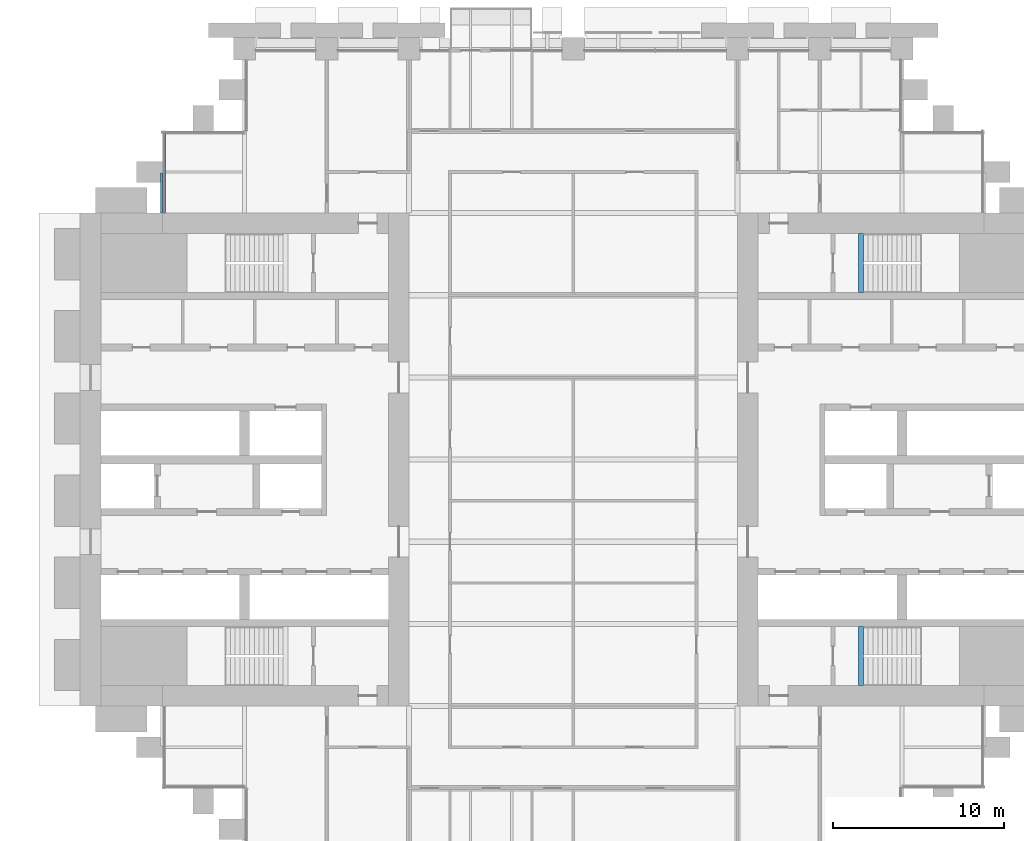
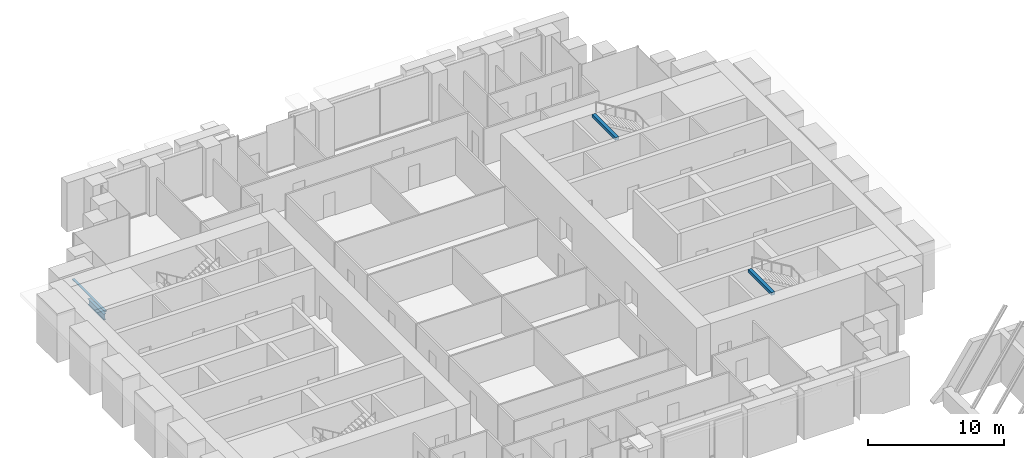
# One storey, part 14 of 32: 3 beams, 1 member, 1 element without a shape of its own.
"""IFC4 building model written with IfcOpenShell, lengths in metres."""

from ifc_helpers import new_model, si_unit, direction, frame, origin, origin_2d, place, context, subcontext, project, spatial, rectangle, i_section, extrude, material, material_profile, profile_set, type_object, element, aggregate, save


model = new_model("IFC4")

# Units and contexts
model_context = context("Model", 3, precision=1e-05, world=origin(), true_north=direction((0.0, 1.0)))
body_context = subcontext(model_context, "Body", "Model", "MODEL_VIEW")
ifc_project = project(units=[si_unit("LENGTHUNIT", "METRE"), si_unit("AREAUNIT", "SQUARE_METRE"), si_unit("VOLUMEUNIT", "CUBIC_METRE"), si_unit("PLANEANGLEUNIT", "RADIAN"), si_unit("MASSUNIT", "GRAM", prefix="KILO")], contexts=[model_context])

# Site, building, storey
site_placement = place(None, origin())
site = spatial("IfcSite", under=ifc_project, at=site_placement, CompositionType="ELEMENT")
building_placement = place(site_placement, origin())
building = spatial("IfcBuilding", under=site, at=building_placement, Name="Baori Bourse Tower", CompositionType="ELEMENT")
storey_placement = place(building_placement, frame((0.0, 0.0, 21.39990234375)))
storey = spatial("IfcBuildingStorey", under=building, at=storey_placement, Name="L03", CompositionType="ELEMENT", Elevation=21.39990234375)

# Curtain wall, member
ifc_material_1 = material(Name="Pale anodised aluminium", Category="aluminium")
curtain_wall_type = type_object("IfcCurtainWallType", Name="CW2 Curtain wall", PredefinedType="NOTDEFINED", material=ifc_material_1)
curtain_wall_placement = place(storey_placement, origin())
curtain_wall = element("IfcCurtainWall", 1, at=curtain_wall_placement, inside=storey, type_object=curtain_wall_type, Name="Curtain wall CW2 L03 9", PredefinedType="NOTDEFINED")
ifc_material_2 = material(Name="Pale anodised aluminium", Category="aluminium")
ifc_material_profile_1 = material_profile(ifc_material_2, rectangle(XDim=0.179931640625, YDim=0.070068359375, at=origin_2d()), Name="Transom 70x180")
ifc_profile_set_1 = profile_set([ifc_material_profile_1], Name="Pale anodised aluminium")
member_type = type_object("IfcMemberType", Name="CW2 Curtain wall transom", PredefinedType="USERDEFINED", material=ifc_profile_set_1)
member_placement = place(storey_placement, frame((4.889892578125, 43.199951171875, 0.03515625), z_axis=(0.0, -1.0, 0.0), x_axis=(1.0, 0.0, 0.0)))
member = element("IfcMember", 2, at=member_placement, type_object=member_type, Name="Curtain wall CW2 sill rail", ObjectType="TRANSOM", PredefinedType="USERDEFINED", context=body_context, shape_type="SweptSolid", body=[
    extrude(rectangle(XDim=0.179931640625, YDim=0.070068359375, at=origin_2d()), origin(), (0.0, 0.0, 1.0), 4.800048828125),
])
aggregate(curtain_wall, [member])

# Beams
ifc_material_3 = material(Name="Steel A992 Gr 50", Category="steel")
ifc_material_profile_2 = material_profile(ifc_material_3, i_section(OverallWidth=0.21240234375, OverallDepth=0.54345703125, WebThickness=0.01318359375, FlangeThickness=0.021240234375, at=origin_2d()), Name="W21x83")
ifc_profile_set_2 = profile_set([ifc_material_profile_2], Name="Steel A992 Gr 50")
beam_type_1 = type_object("IfcBeamType", Name="Core bracket W21x83", PredefinedType="BEAM", material=ifc_profile_set_2)
beam_placement = place(storey_placement, frame((4.800048828125, 38.39990234375, -0.431640625), z_axis=(0.0, 1.0, 0.0), x_axis=(-1.0, 0.0, 0.0)))
element("IfcBeam", 3, at=beam_placement, inside=storey, type_object=beam_type_1, Name="Core bracket L03", PredefinedType="BEAM", context=body_context, shape_type="SweptSolid", body=[
    extrude(i_section(OverallWidth=0.21240234375, OverallDepth=0.54345703125, WebThickness=0.01318359375, FlangeThickness=0.021240234375, at=origin_2d()), origin(), (0.0, 0.0, 1.0), 2.329833984375),
])
ifc_material_4 = material(Name="Concrete f'c 50 MPa", Category="concrete")
ifc_material_profile_3 = material_profile(ifc_material_4, rectangle(XDim=0.300048828125, YDim=0.25, at=origin_2d()), Name="RC 300x250")
ifc_profile_set_3 = profile_set([ifc_material_profile_3], Name="Concrete f'c 50 MPa")
beam_type_2 = type_object("IfcBeamType", Name="Stair nib beam RC 300x250", PredefinedType="BEAM", material=ifc_profile_set_3)
for number, where, z_axis, x_axis, name in (
    (4, (45.60009765625, 10.800048828125, 4.114990234375), (0.0, 1.0, 0.0), (-1.0, 0.0, 0.0), "Stair EA nib beam L04"),
    (5, (45.60009765625, 33.75, 4.114990234375), (0.0, 1.0, 0.0), (-1.0, 0.0, 0.0), "Stair EB nib beam L04"),
):
    element("IfcBeam", number, at=place(storey_placement, frame(where, z_axis=z_axis, x_axis=x_axis)), inside=storey, type_object=beam_type_2, Name=name, PredefinedType="BEAM", context=body_context, shape_type="SweptSolid", body=[
        extrude(rectangle(XDim=0.300048828125, YDim=0.25, at=origin_2d()), origin(), (0.0, 0.0, 1.0), 3.449951171875),
    ])

save(model, "model.ifc")
